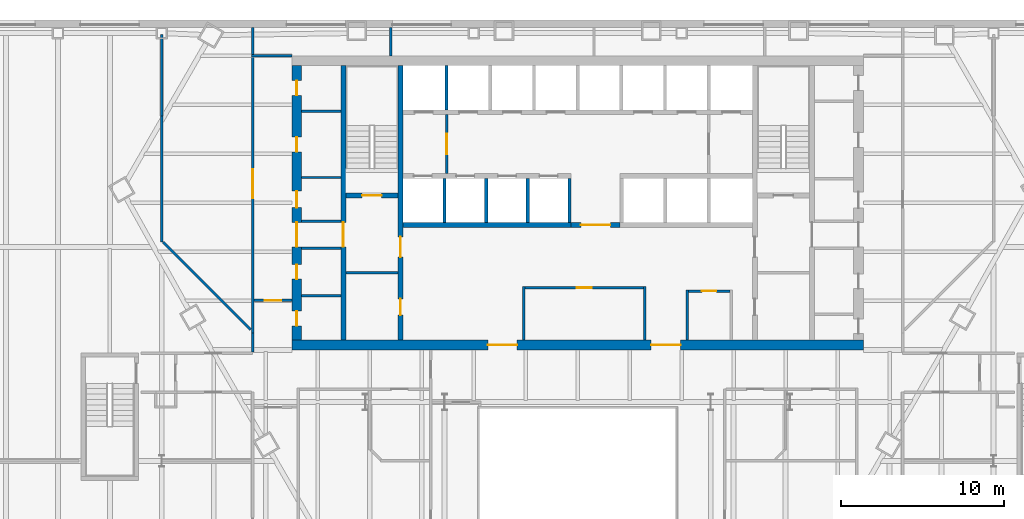
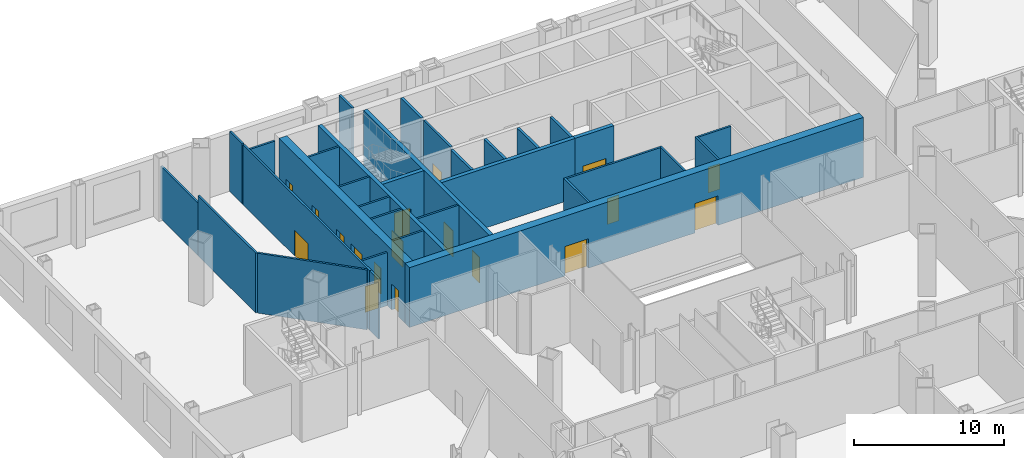
# One storey, part 11 of 20: 33 walls, 18 doors, 18 openings.
"""IFC4 building model written with IfcOpenShell, lengths in metres."""

from ifc_helpers import new_model, si_unit, direction, frame, frame_2d, origin, place, context, subcontext, project, spatial, rectangle, extrude, material, layer, layer_set, type_object, element, fill, save


model = new_model("IFC4")

# Units and contexts
model_context = context("Model", 3, precision=1e-05, world=origin(), true_north=direction((0.0, 1.0)))
body_context = subcontext(model_context, "Body", "Model", "MODEL_VIEW")
ifc_project = project(units=[si_unit("LENGTHUNIT", "METRE"), si_unit("AREAUNIT", "SQUARE_METRE"), si_unit("VOLUMEUNIT", "CUBIC_METRE"), si_unit("PLANEANGLEUNIT", "RADIAN"), si_unit("MASSUNIT", "GRAM", prefix="KILO")], contexts=[model_context])

# Site, building, storey
site_placement = place(None, origin())
site = spatial("IfcSite", under=ifc_project, at=site_placement, CompositionType="ELEMENT")
building_placement = place(site_placement, origin())
building = spatial("IfcBuilding", under=site, at=building_placement, Name="Njiva Tower", CompositionType="ELEMENT")
storey_placement = place(building_placement, frame((0.0, 0.0, 18.6)))
storey = spatial("IfcBuildingStorey", under=building, at=storey_placement, Name="L03", CompositionType="ELEMENT", Elevation=18.6)

# Walls
ifc_material_1 = material(Name="Blockwork", Category="masonry")
ifc_layer_1 = layer(ifc_material_1, 0.15)
ifc_layer_set_1 = layer_set([ifc_layer_1], Name="Blockwork")
wall_type_1 = type_object("IfcWallType", Name="WT1 Compartment partition 150", PredefinedType="PARTITIONING", material=ifc_layer_set_1)
wall_1_placement = place(storey_placement, frame((-14.2, 4.725, 0.0), z_axis=(0.0, 0.0, 1.0), x_axis=(1.0, 0.0, 0.0)))
element("IfcWall", 1, at=wall_1_placement, inside=storey, type_object=wall_type_1, Name="Room wall A", PredefinedType="PARTITIONING", context=body_context, shape_type="SweptSolid", body=[
    extrude(rectangle(XDim=3.2, YDim=0.15, at=frame_2d((1.6, 0.0))), origin(), (0.0, 0.0, 1.0), 4.88),
])
for number, where, z_axis, x_axis, name in (
    (2, (-16.9, 3.3241, 0.0), (0.0, 0.0, 1.0), (1.0, 0.0, 0.0), "Partition strip W00"),
    (3, (-16.9, 10.5559, 0.0), (0.0, 0.0, 1.0), (1.0, 0.0, 0.0), "Partition strip W10"),
):
    element("IfcWall", number, at=place(storey_placement, frame(where, z_axis=z_axis, x_axis=x_axis)), inside=storey, type_object=wall_type_1, Name=name, PredefinedType="PARTITIONING", context=body_context, shape_type="SweptSolid", body=[
        extrude(rectangle(XDim=2.4, YDim=0.15, at=frame_2d((1.2, 0.0))), origin(), (0.0, 0.0, 1.0), 4.88),
    ])
for number, where, z_axis, x_axis, name in (
    (4, (-3.3, 0.6, 0.0), (0.0, 0.0, 1.0), (0.0, 1.0, 0.0), "Information office wall west"),
    (5, (4.1, 0.6, 0.0), (0.0, 0.0, 1.0), (0.0, 1.0, 0.0), "Information office wall east"),
):
    element("IfcWall", number, at=place(storey_placement, frame(where, z_axis=z_axis, x_axis=x_axis)), inside=storey, type_object=wall_type_1, Name=name, PredefinedType="PARTITIONING", context=body_context, shape_type="SweptSolid", body=[
        extrude(rectangle(XDim=3.275, YDim=0.15, at=frame_2d((1.6375, 0.0))), origin(), (0.0, 0.0, 1.0), 4.88),
    ])

# Wall, opening, door
wall_2_placement = place(storey_placement, frame((-3.225, 3.8, 0.0), z_axis=(0.0, 0.0, 1.0), x_axis=(1.0, 0.0, 0.0)))
wall_2 = element("IfcWall", 6, at=wall_2_placement, inside=storey, type_object=wall_type_1, Name="Information office wall north", PredefinedType="PARTITIONING", context=body_context, shape_type="SweptSolid", body=[
    extrude(rectangle(XDim=7.25, YDim=0.15, at=frame_2d((3.625, 0.0))), origin(), (0.0, 0.0, 1.0), 4.88),
])
opening_1_placement = place(wall_2_placement, frame((3.175, 0.0, 0.0)))
opening_1 = element("IfcOpeningElement", 7, at=opening_1_placement, cuts=wall_2, Name="Opening L03-D934", PredefinedType="OPENING", context=body_context, shape_type="SweptSolid", body=[
    extrude(rectangle(XDim=0.9, YDim=2.1, at=frame_2d((0.45, 1.05))), frame((0.0, 0.085, 0.0), z_axis=(0.0, -1.0, 0.0), x_axis=(1.0, 0.0, 0.0)), (0.0, 0.0, 1.0), 0.17),
])
ifc_material_2 = material(Name="Steel fire door, painted", Category="steel")
door_type_1 = type_object("IfcDoorType", Name="D6 Fire-rated door 900x2100", OperationType="SINGLE_SWING_LEFT", PredefinedType="DOOR", material=ifc_material_2)
door_1_placement = place(opening_1_placement, origin())
door_1 = element("IfcDoor", 8, at=door_1_placement, inside=storey, type_object=door_type_1, Name="Information office door", OperationType="SINGLE_SWING_LEFT", OverallHeight=2.1, OverallWidth=0.9, PredefinedType="DOOR", context=body_context, shape_type="SweptSolid", body=[
    extrude(rectangle(XDim=0.9, YDim=2.1, at=frame_2d((0.45, 1.05))), frame((0.0, 0.025, 0.0), z_axis=(0.0, -1.0, 0.0), x_axis=(1.0, 0.0, 0.0)), (0.0, 0.0, 1.0), 0.05),
])
fill(opening_1, door_1)

# Wall
wall_3_placement = place(storey_placement, frame((6.7, 0.6, 0.0), z_axis=(0.0, 0.0, 1.0), x_axis=(0.0, 1.0, 0.0)))
element("IfcWall", 9, at=wall_3_placement, inside=storey, type_object=wall_type_1, Name="Tenant reception wall west", PredefinedType="PARTITIONING", context=body_context, shape_type="SweptSolid", body=[
    extrude(rectangle(XDim=3.075, YDim=0.15, at=frame_2d((1.5375, 0.0))), origin(), (0.0, 0.0, 1.0), 4.88),
])

# Wall, opening, door
wall_4_placement = place(storey_placement, frame((6.775, 3.6, 0.0), z_axis=(0.0, 0.0, 1.0), x_axis=(1.0, 0.0, 0.0)))
wall_4 = element("IfcWall", 10, at=wall_4_placement, inside=storey, type_object=wall_type_1, Name="Tenant reception wall north", PredefinedType="PARTITIONING", context=body_context, shape_type="SweptSolid", body=[
    extrude(rectangle(XDim=2.55, YDim=0.15, at=frame_2d((1.275, 0.0))), origin(), (0.0, 0.0, 1.0), 4.88),
])
opening_2_placement = place(wall_4_placement, frame((0.825, 0.0, 0.0)))
opening_2 = element("IfcOpeningElement", 11, at=opening_2_placement, cuts=wall_4, Name="Opening L03-D935", PredefinedType="OPENING", context=body_context, shape_type="SweptSolid", body=[
    extrude(rectangle(XDim=0.9, YDim=2.1, at=frame_2d((0.45, 1.05))), frame((0.0, 0.085, 0.0), z_axis=(0.0, -1.0, 0.0), x_axis=(1.0, 0.0, 0.0)), (0.0, 0.0, 1.0), 0.17),
])
door_2_placement = place(opening_2_placement, origin())
door_2 = element("IfcDoor", 12, at=door_2_placement, inside=storey, type_object=door_type_1, Name="Tenant reception door", OperationType="SINGLE_SWING_RIGHT", OverallHeight=2.1, OverallWidth=0.9, PredefinedType="DOOR", context=body_context, shape_type="SweptSolid", body=[
    extrude(rectangle(XDim=0.9, YDim=2.1, at=frame_2d((0.45, 1.05))), frame((0.0, 0.025, 0.0), z_axis=(0.0, -1.0, 0.0), x_axis=(1.0, 0.0, 0.0)), (0.0, 0.0, 1.0), 0.05),
])
fill(opening_2, door_2)

# Wall, openings, doors
ifc_material_3 = material(Name="Concrete C40/50", Category="concrete")
ifc_layer_2 = layer(ifc_material_3, 0.3)
ifc_layer_set_2 = layer_set([ifc_layer_2], Name="Concrete C40/50")
wall_type_2 = type_object("IfcWallType", Name="WT10 Stair enclosure wall 300", PredefinedType="SHEAR", material=ifc_layer_set_2)
wall_5_placement = place(storey_placement, frame((-10.85, 0.6, 0.0), z_axis=(0.0, 0.0, 1.0), x_axis=(0.0, 1.0, 0.0)))
wall_5 = element("IfcWall", 13, at=wall_5_placement, inside=storey, type_object=wall_type_2, Name="Stair wall west inner", PredefinedType="SHEAR", context=body_context, shape_type="SweptSolid", body=[
    extrude(rectangle(XDim=16.8, YDim=0.3, at=frame_2d((8.4, 0.0))), origin(), (0.0, 0.0, 1.0), 4.88),
])
opening_3_placement = place(wall_5_placement, frame((5.075, 0.0, 0.0)))
opening_3 = element("IfcOpeningElement", 14, at=opening_3_placement, cuts=wall_5, Name="Opening L03-D914", PredefinedType="OPENING", context=body_context, shape_type="SweptSolid", body=[
    extrude(rectangle(XDim=1.25, YDim=2.1, at=frame_2d((0.625, 1.05))), frame((0.0, 0.16, 0.0), z_axis=(0.0, -1.0, 0.0), x_axis=(1.0, 0.0, 0.0)), (0.0, 0.0, 1.0), 0.32),
])
opening_4_placement = place(wall_5_placement, frame((1.525, 0.0, 0.0)))
opening_4 = element("IfcOpeningElement", 15, at=opening_4_placement, cuts=wall_5, Name="Opening L03-D915", PredefinedType="OPENING", context=body_context, shape_type="SweptSolid", body=[
    extrude(rectangle(XDim=1.0, YDim=2.1, at=frame_2d((0.5, 1.05))), frame((0.0, 0.16, 0.0), z_axis=(0.0, -1.0, 0.0), x_axis=(1.0, 0.0, 0.0)), (0.0, 0.0, 1.0), 0.32),
])
ifc_material_4 = material(Name="Steel door, painted", Category="steel")
door_type_2 = type_object("IfcDoorType", Name="D5 Steel door 1000x2100", OperationType="SINGLE_SWING_LEFT", PredefinedType="DOOR", material=ifc_material_4)
door_3_placement = place(opening_4_placement, origin())
door_3 = element("IfcDoor", 16, at=door_3_placement, inside=storey, type_object=door_type_2, Name="Breakout room door", OperationType="SINGLE_SWING_RIGHT", OverallHeight=2.1, OverallWidth=1.0, PredefinedType="DOOR", context=body_context, shape_type="SweptSolid", body=[
    extrude(rectangle(XDim=1.0, YDim=2.1, at=frame_2d((0.5, 1.05))), frame((0.0, 0.025, 0.0), z_axis=(0.0, -1.0, 0.0), x_axis=(1.0, 0.0, 0.0)), (0.0, 0.0, 1.0), 0.05),
])
fill(opening_4, door_3)
ifc_material_5 = material(Name="Glazed steel fire door", Category="steel")
door_type_3 = type_object("IfcDoorType", Name="D8 Vestibule corridor door 1250x2100 glazed", OperationType="SINGLE_SWING_LEFT", PredefinedType="DOOR", material=ifc_material_5)
door_4_placement = place(opening_3_placement, origin())
door_4 = element("IfcDoor", 17, at=door_4_placement, inside=storey, type_object=door_type_3, Name="Stair vestibule corridor door", OperationType="SINGLE_SWING_LEFT", OverallHeight=2.1, OverallWidth=1.25, PredefinedType="DOOR", context=body_context, shape_type="SweptSolid", body=[
    extrude(rectangle(XDim=1.25, YDim=2.1, at=frame_2d((0.625, 1.05))), frame((0.0, 0.025, 0.0), z_axis=(0.0, -1.0, 0.0), x_axis=(1.0, 0.0, 0.0)), (0.0, 0.0, 1.0), 0.05),
])
fill(opening_3, door_4)

# Wall, opening, door
wall_6_placement = place(storey_placement, frame((-14.35, 0.6, 0.0), z_axis=(0.0, 0.0, 1.0), x_axis=(0.0, 1.0, 0.0)))
wall_6 = element("IfcWall", 18, at=wall_6_placement, inside=storey, type_object=wall_type_2, Name="Stair wall west outer", PredefinedType="SHEAR", context=body_context, shape_type="SweptSolid", body=[
    extrude(rectangle(XDim=16.8, YDim=0.3, at=frame_2d((8.4, 0.0))), origin(), (0.0, 0.0, 1.0), 4.88),
])
opening_5_placement = place(wall_6_placement, frame((5.7, 0.0, 0.0)))
opening_5 = element("IfcOpeningElement", 19, at=opening_5_placement, cuts=wall_6, Name="Opening L03-D920", PredefinedType="OPENING", context=body_context, shape_type="SweptSolid", body=[
    extrude(rectangle(XDim=1.5, YDim=2.1, at=frame_2d((0.75, 1.05))), frame((0.0, 0.16, 0.0), z_axis=(0.0, -1.0, 0.0), x_axis=(1.0, 0.0, 0.0)), (0.0, 0.0, 1.0), 0.32),
])
door_type_4 = type_object("IfcDoorType", Name="D10 Exit door double 1500x2100 glazed", OperationType="DOUBLE_DOOR_SINGLE_SWING", PredefinedType="DOOR", material=ifc_material_5)
door_5_placement = place(opening_5_placement, origin())
door_5 = element("IfcDoor", 20, at=door_5_placement, inside=storey, type_object=door_type_4, Name="Stair A passage door", OperationType="DOUBLE_DOOR_SINGLE_SWING", OverallHeight=2.1, OverallWidth=1.5, PredefinedType="DOOR", context=body_context, shape_type="SweptSolid", body=[
    extrude(rectangle(XDim=1.5, YDim=2.1, at=frame_2d((0.75, 1.05))), frame((0.0, 0.025, 0.0), z_axis=(0.0, -1.0, 0.0), x_axis=(1.0, 0.0, 0.0)), (0.0, 0.0, 1.0), 0.05),
])
fill(opening_5, door_5)

wall_7_placement = place(storey_placement, frame((-14.2, 9.45, 0.0), z_axis=(0.0, 0.0, 1.0), x_axis=(1.0, 0.0, 0.0)))
wall_7 = element("IfcWall", 21, at=wall_7_placement, inside=storey, type_object=wall_type_2, Name="Stair A south wall", PredefinedType="SHEAR", context=body_context, shape_type="SweptSolid", body=[
    extrude(rectangle(XDim=3.2, YDim=0.3, at=frame_2d((1.6, 0.0))), origin(), (0.0, 0.0, 1.0), 4.88),
])
opening_6_placement = place(wall_7_placement, frame((1.0, 0.0, 0.0)))
opening_6 = element("IfcOpeningElement", 22, at=opening_6_placement, cuts=wall_7, Name="Opening L03-D913", PredefinedType="OPENING", context=body_context, shape_type="SweptSolid", body=[
    extrude(rectangle(XDim=1.2, YDim=2.1, at=frame_2d((0.6, 1.05))), frame((0.0, 0.16, 0.0), z_axis=(0.0, -1.0, 0.0), x_axis=(1.0, 0.0, 0.0)), (0.0, 0.0, 1.0), 0.32),
])
door_type_5 = type_object("IfcDoorType", Name="D7 Stair vestibule door 1200x2100 glazed", OperationType="SINGLE_SWING_LEFT", PredefinedType="DOOR", material=ifc_material_5)
door_6_placement = place(opening_6_placement, origin())
door_6 = element("IfcDoor", 23, at=door_6_placement, inside=storey, type_object=door_type_5, Name="Stair A door", OperationType="SINGLE_SWING_LEFT", OverallHeight=2.1, OverallWidth=1.2, PredefinedType="DOOR", context=body_context, shape_type="SweptSolid", body=[
    extrude(rectangle(XDim=1.2, YDim=2.1, at=frame_2d((0.6, 1.05))), frame((0.0, 0.025, 0.0), z_axis=(0.0, -1.0, 0.0), x_axis=(1.0, 0.0, 0.0)), (0.0, 0.0, 1.0), 0.05),
])
fill(opening_6, door_6)

# Wall, openings, doors
ifc_material_6 = material(Name="Concrete C60/75", Category="concrete")
ifc_layer_3 = layer(ifc_material_6, 0.6)
ifc_layer_set_3 = layer_set([ifc_layer_3], Name="Concrete C60/75")
wall_type_3 = type_object("IfcWallType", Name="WT15 Core wall 600", PredefinedType="SHEAR", material=ifc_layer_set_3)
wall_8_placement = place(storey_placement, frame((-17.5, 0.3, 0.0), z_axis=(0.0, 0.0, 1.0), x_axis=(1.0, 0.0, 0.0)))
wall_8 = element("IfcWall", 24, at=wall_8_placement, inside=storey, type_object=wall_type_3, Name="Core wall south", PredefinedType="SHEAR", context=body_context, shape_type="SweptSolid", body=[
    extrude(rectangle(XDim=35.0, YDim=0.6, at=frame_2d((17.5, 0.0))), origin(), (0.0, 0.0, 1.0), 4.88),
])
opening_7_placement = place(wall_8_placement, frame((12.0, 0.0, 0.0)))
opening_7 = element("IfcOpeningElement", 25, at=opening_7_placement, cuts=wall_8, Name="Opening L03-D937", PredefinedType="OPENING", context=body_context, shape_type="SweptSolid", body=[
    extrude(rectangle(XDim=1.8, YDim=2.4, at=frame_2d((0.9, 1.2))), frame((0.0, 0.31, 0.0), z_axis=(0.0, -1.0, 0.0), x_axis=(1.0, 0.0, 0.0)), (0.0, 0.0, 1.0), 0.62),
])
opening_8_placement = place(wall_8_placement, frame((22.0, 0.0, 0.0)))
opening_8 = element("IfcOpeningElement", 26, at=opening_8_placement, cuts=wall_8, Name="Opening L03-D938", PredefinedType="OPENING", context=body_context, shape_type="SweptSolid", body=[
    extrude(rectangle(XDim=1.8, YDim=2.4, at=frame_2d((0.9, 1.2))), frame((0.0, 0.31, 0.0), z_axis=(0.0, -1.0, 0.0), x_axis=(1.0, 0.0, 0.0)), (0.0, 0.0, 1.0), 0.62),
])
ifc_material_7 = material(Name="Steel and glass door", Category="steel")
door_type_6 = type_object("IfcDoorType", Name="D3 Core entrance door 1800x2400", OperationType="DOUBLE_DOOR_SINGLE_SWING", PredefinedType="DOOR", material=ifc_material_7)
door_7_placement = place(opening_7_placement, origin())
door_7 = element("IfcDoor", 27, at=door_7_placement, inside=storey, type_object=door_type_6, Name="Core entrance door", OperationType="DOUBLE_DOOR_SINGLE_SWING", OverallHeight=2.4, OverallWidth=1.8, PredefinedType="DOOR", context=body_context, shape_type="SweptSolid", body=[
    extrude(rectangle(XDim=1.8, YDim=2.4, at=frame_2d((0.9, 1.2))), frame((0.0, 0.025, 0.0), z_axis=(0.0, -1.0, 0.0), x_axis=(1.0, 0.0, 0.0)), (0.0, 0.0, 1.0), 0.05),
])
fill(opening_7, door_7)
door_8_placement = place(opening_8_placement, origin())
door_8 = element("IfcDoor", 28, at=door_8_placement, inside=storey, type_object=door_type_6, Name="Core entrance door", OperationType="DOUBLE_DOOR_SINGLE_SWING", OverallHeight=2.4, OverallWidth=1.8, PredefinedType="DOOR", context=body_context, shape_type="SweptSolid", body=[
    extrude(rectangle(XDim=1.8, YDim=2.4, at=frame_2d((0.9, 1.2))), frame((0.0, 0.025, 0.0), z_axis=(0.0, -1.0, 0.0), x_axis=(1.0, 0.0, 0.0)), (0.0, 0.0, 1.0), 0.05),
])
fill(opening_8, door_8)

wall_9_placement = place(storey_placement, frame((-17.2, 0.6, 0.0), z_axis=(0.0, 0.0, 1.0), x_axis=(0.0, 1.0, 0.0)))
wall_9 = element("IfcWall", 29, at=wall_9_placement, inside=storey, type_object=wall_type_3, Name="Core wall west", PredefinedType="SHEAR", context=body_context, shape_type="SweptSolid", body=[
    extrude(rectangle(XDim=16.8, YDim=0.6, at=frame_2d((8.4, 0.0))), origin(), (0.0, 0.0, 1.0), 4.88),
])
opening_9_placement = place(wall_9_placement, frame((5.7, 0.0, 0.0)))
opening_9 = element("IfcOpeningElement", 30, at=opening_9_placement, cuts=wall_9, Name="Opening L03-D921", PredefinedType="OPENING", context=body_context, shape_type="SweptSolid", body=[
    extrude(rectangle(XDim=1.5, YDim=2.1, at=frame_2d((0.75, 1.05))), frame((0.0, 0.31, 0.0), z_axis=(0.0, -1.0, 0.0), x_axis=(1.0, 0.0, 0.0)), (0.0, 0.0, 1.0), 0.62),
])
opening_10_placement = place(wall_9_placement, frame((0.8745, 0.0, 0.0)))
opening_10 = element("IfcOpeningElement", 31, at=opening_10_placement, cuts=wall_9, Name="Opening L03-D922", PredefinedType="OPENING", context=body_context, shape_type="SweptSolid", body=[
    extrude(rectangle(XDim=0.9, YDim=2.1, at=frame_2d((0.45, 1.05))), frame((0.0, 0.31, 0.0), z_axis=(0.0, -1.0, 0.0), x_axis=(1.0, 0.0, 0.0)), (0.0, 0.0, 1.0), 0.62),
])
opening_11_placement = place(wall_9_placement, frame((3.7245, 0.0, 0.0)))
opening_11 = element("IfcOpeningElement", 32, at=opening_11_placement, cuts=wall_9, Name="Opening L03-D923", PredefinedType="OPENING", context=body_context, shape_type="SweptSolid", body=[
    extrude(rectangle(XDim=0.9, YDim=2.1, at=frame_2d((0.45, 1.05))), frame((0.0, 0.31, 0.0), z_axis=(0.0, -1.0, 0.0), x_axis=(1.0, 0.0, 0.0)), (0.0, 0.0, 1.0), 0.62),
])
opening_12_placement = place(wall_9_placement, frame((8.1154, 0.0, 0.0)))
opening_12 = element("IfcOpeningElement", 33, at=opening_12_placement, cuts=wall_9, Name="Opening L03-D924", PredefinedType="OPENING", context=body_context, shape_type="SweptSolid", body=[
    extrude(rectangle(XDim=1.0, YDim=2.1, at=frame_2d((0.5, 1.05))), frame((0.0, 0.31, 0.0), z_axis=(0.0, -1.0, 0.0), x_axis=(1.0, 0.0, 0.0)), (0.0, 0.0, 1.0), 0.62),
])
opening_13_placement = place(wall_9_placement, frame((11.5277, 0.0, 0.0)))
opening_13 = element("IfcOpeningElement", 34, at=opening_13_placement, cuts=wall_9, Name="Opening L03-D925", PredefinedType="OPENING", context=body_context, shape_type="SweptSolid", body=[
    extrude(rectangle(XDim=0.9, YDim=2.1, at=frame_2d((0.45, 1.05))), frame((0.0, 0.31, 0.0), z_axis=(0.0, -1.0, 0.0), x_axis=(1.0, 0.0, 0.0)), (0.0, 0.0, 1.0), 0.62),
])
opening_14_placement = place(wall_9_placement, frame((14.9872, 0.0, 0.0)))
opening_14 = element("IfcOpeningElement", 35, at=opening_14_placement, cuts=wall_9, Name="Opening L03-D926", PredefinedType="OPENING", context=body_context, shape_type="SweptSolid", body=[
    extrude(rectangle(XDim=0.9, YDim=2.1, at=frame_2d((0.45, 1.05))), frame((0.0, 0.31, 0.0), z_axis=(0.0, -1.0, 0.0), x_axis=(1.0, 0.0, 0.0)), (0.0, 0.0, 1.0), 0.62),
])
door_9_placement = place(opening_9_placement, origin())
door_9 = element("IfcDoor", 36, at=door_9_placement, inside=storey, type_object=door_type_4, Name="Stair A corridor door", OperationType="DOUBLE_DOOR_SINGLE_SWING", OverallHeight=2.1, OverallWidth=1.5, PredefinedType="DOOR", context=body_context, shape_type="SweptSolid", body=[
    extrude(rectangle(XDim=1.5, YDim=2.1, at=frame_2d((0.75, 1.05))), frame((0.0, 0.025, 0.0), z_axis=(0.0, -1.0, 0.0), x_axis=(1.0, 0.0, 0.0)), (0.0, 0.0, 1.0), 0.05),
])
fill(opening_9, door_9)
door_type_7 = type_object("IfcDoorType", Name="D4 Riser door 900x2100", OperationType="SINGLE_SWING_LEFT", PredefinedType="DOOR", material=ifc_material_4)
door_10_placement = place(opening_14_placement, origin())
door_10 = element("IfcDoor", 37, at=door_10_placement, inside=storey, type_object=door_type_7, Name="Riser door", OperationType="SINGLE_SWING_LEFT", OverallHeight=2.1, OverallWidth=0.9, PredefinedType="DOOR", context=body_context, shape_type="SweptSolid", body=[
    extrude(rectangle(XDim=0.9, YDim=2.1, at=frame_2d((0.45, 1.05))), frame((0.0, 0.025, 0.0), z_axis=(0.0, -1.0, 0.0), x_axis=(1.0, 0.0, 0.0)), (0.0, 0.0, 1.0), 0.05),
])
fill(opening_14, door_10)
door_11_placement = place(opening_12_placement, origin())
door_11 = element("IfcDoor", 38, at=door_11_placement, inside=storey, type_object=door_type_2, Name="Telecoms room door", OperationType="SINGLE_SWING_RIGHT", OverallHeight=2.1, OverallWidth=1.0, PredefinedType="DOOR", context=body_context, shape_type="SweptSolid", body=[
    extrude(rectangle(XDim=1.0, YDim=2.1, at=frame_2d((0.5, 1.05))), frame((0.0, 0.025, 0.0), z_axis=(0.0, -1.0, 0.0), x_axis=(1.0, 0.0, 0.0)), (0.0, 0.0, 1.0), 0.05),
])
fill(opening_12, door_11)
door_12_placement = place(opening_10_placement, origin())
door_12 = element("IfcDoor", 39, at=door_12_placement, inside=storey, type_object=door_type_1, Name="Meeting room door", OperationType="SINGLE_SWING_LEFT", OverallHeight=2.1, OverallWidth=0.9, PredefinedType="DOOR", context=body_context, shape_type="SweptSolid", body=[
    extrude(rectangle(XDim=0.9, YDim=2.1, at=frame_2d((0.45, 1.05))), frame((0.0, 0.025, 0.0), z_axis=(0.0, -1.0, 0.0), x_axis=(1.0, 0.0, 0.0)), (0.0, 0.0, 1.0), 0.05),
])
fill(opening_10, door_12)
door_13_placement = place(opening_11_placement, origin())
door_13 = element("IfcDoor", 40, at=door_13_placement, inside=storey, type_object=door_type_1, Name="Breakout room door", OperationType="SINGLE_SWING_LEFT", OverallHeight=2.1, OverallWidth=0.9, PredefinedType="DOOR", context=body_context, shape_type="SweptSolid", body=[
    extrude(rectangle(XDim=0.9, YDim=2.1, at=frame_2d((0.45, 1.05))), frame((0.0, 0.025, 0.0), z_axis=(0.0, -1.0, 0.0), x_axis=(1.0, 0.0, 0.0)), (0.0, 0.0, 1.0), 0.05),
])
fill(opening_11, door_13)
door_14_placement = place(opening_13_placement, origin())
door_14 = element("IfcDoor", 41, at=door_14_placement, inside=storey, type_object=door_type_1, Name="Quiet room door", OperationType="SINGLE_SWING_RIGHT", OverallHeight=2.1, OverallWidth=0.9, PredefinedType="DOOR", context=body_context, shape_type="SweptSolid", body=[
    extrude(rectangle(XDim=0.9, YDim=2.1, at=frame_2d((0.45, 1.05))), frame((0.0, 0.025, 0.0), z_axis=(0.0, -1.0, 0.0), x_axis=(1.0, 0.0, 0.0)), (0.0, 0.0, 1.0), 0.05),
])
fill(opening_13, door_14)

# Wall, opening, door
ifc_layer_4 = layer(ifc_material_1, 0.15)
ifc_layer_set_4 = layer_set([ifc_layer_4], Name="Blockwork")
wall_type_4 = type_object("IfcWallType", Name="WT2 Lobby partition 150", PredefinedType="PARTITIONING", material=ifc_layer_set_4)
wall_10_placement = place(storey_placement, frame((-8.025, 10.8, 0.0), z_axis=(0.0, 0.0, 1.0), x_axis=(0.0, 1.0, 0.0)))
wall_10 = element("IfcWall", 42, at=wall_10_placement, inside=storey, type_object=wall_type_4, Name="Firefighting lobby wall A", PredefinedType="PARTITIONING", context=body_context, shape_type="SweptSolid", body=[
    extrude(rectangle(XDim=3.6, YDim=0.15, at=frame_2d((1.8, 0.0))), origin(), (0.0, 0.0, 1.0), 4.88),
])
opening_15_placement = place(wall_10_placement, frame((1.175, 0.0, 0.0)))
opening_15 = element("IfcOpeningElement", 43, at=opening_15_placement, cuts=wall_10, Name="Opening L03-D912", PredefinedType="OPENING", context=body_context, shape_type="SweptSolid", body=[
    extrude(rectangle(XDim=1.25, YDim=2.1, at=frame_2d((0.625, 1.05))), frame((0.0, 0.085, 0.0), z_axis=(0.0, -1.0, 0.0), x_axis=(1.0, 0.0, 0.0)), (0.0, 0.0, 1.0), 0.17),
])
door_15_placement = place(opening_15_placement, origin())
door_15 = element("IfcDoor", 44, at=door_15_placement, inside=storey, type_object=door_type_3, Name="Stair vestibule corridor door", OperationType="SINGLE_SWING_RIGHT", OverallHeight=2.1, OverallWidth=1.25, PredefinedType="DOOR", context=body_context, shape_type="SweptSolid", body=[
    extrude(rectangle(XDim=1.25, YDim=2.1, at=frame_2d((0.625, 1.05))), frame((0.0, 0.025, 0.0), z_axis=(0.0, -1.0, 0.0), x_axis=(1.0, 0.0, 0.0)), (0.0, 0.0, 1.0), 0.05),
])
fill(opening_15, door_15)

# Walls
ifc_material_8 = material(Name="Gypsum board on steel studs", Category="gypsum")
ifc_layer_5 = layer(ifc_material_8, 0.15)
ifc_layer_set_5 = layer_set([ifc_layer_5], Name="Gypsum board on steel studs")
wall_type_5 = type_object("IfcWallType", Name="WT21 Compartment wall 150", PredefinedType="PARTITIONING", material=ifc_layer_set_5)
wall_11_placement = place(storey_placement, frame((-25.467, 6.592, 0.0), z_axis=(0.0, 0.0, 1.0), x_axis=(0.0, 1.0, 0.0)))
element("IfcWall", 45, at=wall_11_placement, inside=storey, type_object=wall_type_5, Name="Partition L03-P009", PredefinedType="PARTITIONING", context=body_context, shape_type="SweptSolid", body=[
    extrude(rectangle(XDim=7.736, YDim=0.15, at=frame_2d((3.868, 0.0))), origin(), (0.0, 0.0, 1.0), 4.88),
])
wall_12_placement = place(storey_placement, frame((-25.467, 14.328, 0.0), z_axis=(0.0, 0.0, 1.0), x_axis=(0.0, 1.0, 0.0)))
element("IfcWall", 46, at=wall_12_placement, inside=storey, type_object=wall_type_5, Name="Partition L03-P009A", PredefinedType="PARTITIONING", context=body_context, shape_type="SweptSolid", body=[
    extrude(rectangle(XDim=4.972, YDim=0.15, at=frame_2d((2.486, 0.0))), origin(), (0.0, 0.0, 1.0), 4.28),
])
wall_13_placement = place(storey_placement, frame((-25.392, 6.592, 0.0), z_axis=(0.0, 0.0, 1.0), x_axis=(0.707106781187, -0.707106781187, 0.0)))
element("IfcWall", 47, at=wall_13_placement, inside=storey, type_object=wall_type_5, Name="Partition L03-P010", PredefinedType="PARTITIONING", context=body_context, shape_type="SweptSolid", body=[
    extrude(rectangle(XDim=7.5858, YDim=0.15, at=frame_2d((3.7929, 0.0))), origin(), (0.0, 0.0, 1.0), 4.88),
])
wall_14_placement = place(storey_placement, frame((-19.9, -0.125, 0.0), z_axis=(0.0, 0.0, 1.0), x_axis=(0.0, 1.0, 0.0)))
element("IfcWall", 48, at=wall_14_placement, inside=storey, type_object=wall_type_5, Name="Partition L03-P017", PredefinedType="PARTITIONING", context=body_context, shape_type="SweptSolid", body=[
    extrude(rectangle(XDim=1.15, YDim=0.15, at=frame_2d((0.575, 0.0))), origin(), (0.0, 0.0, 1.0), 4.88),
])

# Wall, opening, door
wall_15_placement = place(storey_placement, frame((-19.9, 1.025, 0.0), z_axis=(0.0, 0.0, 1.0), x_axis=(0.0, 1.0, 0.0)))
wall_15 = element("IfcWall", 49, at=wall_15_placement, inside=storey, type_object=wall_type_5, Name="Partition L03-P018", PredefinedType="PARTITIONING", context=body_context, shape_type="SweptSolid", body=[
    extrude(rectangle(XDim=16.9, YDim=0.15, at=frame_2d((8.45, 0.0))), origin(), (0.0, 0.0, 1.0), 4.88),
])
opening_16_placement = place(wall_15_placement, frame((8.244, 0.0, 0.0)))
opening_16 = element("IfcOpeningElement", 50, at=opening_16_placement, cuts=wall_15, Name="Opening L03-D006", PredefinedType="OPENING", context=body_context, shape_type="SweptSolid", body=[
    extrude(rectangle(XDim=1.8, YDim=2.1, at=frame_2d((0.9, 1.05))), frame((0.0, 0.085, 0.0), z_axis=(0.0, -1.0, 0.0), x_axis=(1.0, 0.0, 0.0)), (0.0, 0.0, 1.0), 0.17),
])
ifc_material_9 = material(Name="Steel fire door set", Category="steel")
door_type_8 = type_object("IfcDoorType", Name="D38 Fire door 1800x2100", OperationType="DOUBLE_DOOR_SINGLE_SWING", PredefinedType="DOOR", material=ifc_material_9)
door_16_placement = place(opening_16_placement, origin())
door_16 = element("IfcDoor", 51, at=door_16_placement, inside=storey, type_object=door_type_8, Name="Door L03-D006", OperationType="DOUBLE_DOOR_SINGLE_SWING", OverallHeight=2.1, OverallWidth=1.8, PredefinedType="DOOR", context=body_context, shape_type="SweptSolid", body=[
    extrude(rectangle(XDim=1.8, YDim=2.1, at=frame_2d((0.9, 1.05))), frame((0.0, 0.025, 0.0), z_axis=(0.0, -1.0, 0.0), x_axis=(1.0, 0.0, 0.0)), (0.0, 0.0, 1.0), 0.05),
])
fill(opening_16, door_16)

wall_16_placement = place(storey_placement, frame((-19.825, 3.025, 0.0), z_axis=(0.0, 0.0, 1.0), x_axis=(1.0, 0.0, 0.0)))
wall_16 = element("IfcWall", 52, at=wall_16_placement, inside=storey, type_object=wall_type_5, Name="Partition L03-P022", PredefinedType="PARTITIONING", context=body_context, shape_type="SweptSolid", body=[
    extrude(rectangle(XDim=2.325, YDim=0.15, at=frame_2d((1.1625, 0.0))), origin(), (0.0, 0.0, 1.0), 4.33),
])
opening_17_placement = place(wall_16_placement, frame((0.662, 0.0, 0.0)))
opening_17 = element("IfcOpeningElement", 53, at=opening_17_placement, cuts=wall_16, Name="Opening L03-D008", PredefinedType="OPENING", context=body_context, shape_type="SweptSolid", body=[
    extrude(rectangle(XDim=1.0, YDim=2.1, at=frame_2d((0.5, 1.05))), frame((0.0, 0.085, 0.0), z_axis=(0.0, -1.0, 0.0), x_axis=(1.0, 0.0, 0.0)), (0.0, 0.0, 1.0), 0.17),
])
door_type_9 = type_object("IfcDoorType", Name="D37 Fire door 1000x2100", OperationType="SINGLE_SWING_LEFT", PredefinedType="DOOR", material=ifc_material_9)
door_17_placement = place(opening_17_placement, origin())
door_17 = element("IfcDoor", 54, at=door_17_placement, inside=storey, type_object=door_type_9, Name="Door L03-D008", OperationType="SINGLE_SWING_LEFT", OverallHeight=2.1, OverallWidth=1.0, PredefinedType="DOOR", context=body_context, shape_type="SweptSolid", body=[
    extrude(rectangle(XDim=1.0, YDim=2.1, at=frame_2d((0.5, 1.05))), frame((0.0, 0.025, 0.0), z_axis=(0.0, -1.0, 0.0), x_axis=(1.0, 0.0, 0.0)), (0.0, 0.0, 1.0), 0.05),
])
fill(opening_17, door_17)

# Walls
ifc_layer_6 = layer(ifc_material_8, 0.15)
ifc_layer_set_6 = layer_set([ifc_layer_6], Name="Gypsum board on steel studs")
wall_type_6 = type_object("IfcWallType", Name="WT24 Riser room wall 150", PredefinedType="PARTITIONING", material=ifc_layer_set_6)
wall_17_placement = place(storey_placement, frame((-19.975, 18.0, 0.0), z_axis=(0.0, 0.0, 1.0), x_axis=(1.0, 0.0, 0.0)))
element("IfcWall", 55, at=wall_17_placement, inside=storey, type_object=wall_type_6, Name="Partition L03-P015", PredefinedType="PARTITIONING", context=body_context, shape_type="SweptSolid", body=[
    extrude(rectangle(XDim=2.475, YDim=0.15, at=frame_2d((1.2375, 0.0))), origin(), (0.0, 0.0, 1.0), 4.33),
])
wall_18_placement = place(storey_placement, frame((-19.9, 18.075, 0.0), z_axis=(0.0, 0.0, 1.0), x_axis=(0.0, 1.0, 0.0)))
element("IfcWall", 56, at=wall_18_placement, inside=storey, type_object=wall_type_6, Name="Partition L03-P019", PredefinedType="PARTITIONING", context=body_context, shape_type="SweptSolid", body=[
    extrude(rectangle(XDim=1.675, YDim=0.15, at=frame_2d((0.8375, 0.0))), origin(), (0.0, 0.0, 1.0), 4.88),
])
wall_19_placement = place(storey_placement, frame((-11.45, 18.0, 0.0), z_axis=(0.0, 0.0, 1.0), x_axis=(0.0, 1.0, 0.0)))
element("IfcWall", 57, at=wall_19_placement, inside=storey, type_object=wall_type_6, Name="Partition L03-P042", PredefinedType="PARTITIONING", context=body_context, shape_type="SweptSolid", body=[
    extrude(rectangle(XDim=1.75, YDim=0.15, at=frame_2d((0.875, 0.0))), origin(), (0.0, 0.0, 1.0), 4.88),
])
ifc_layer_7 = layer(ifc_material_1, 0.15)
ifc_layer_set_7 = layer_set([ifc_layer_7], Name="Blockwork")
wall_type_7 = type_object("IfcWallType", Name="WT3 Riser partition 150", PredefinedType="PARTITIONING", material=ifc_layer_set_7)
wall_20_placement = place(storey_placement, frame((-16.9, 14.5995, 0.0), z_axis=(0.0, 0.0, 1.0), x_axis=(1.0, 0.0, 0.0)))
element("IfcWall", 58, at=wall_20_placement, inside=storey, type_object=wall_type_7, Name="Partition strip W11", PredefinedType="PARTITIONING", context=body_context, shape_type="SweptSolid", body=[
    extrude(rectangle(XDim=2.4, YDim=0.15, at=frame_2d((1.2, 0.0))), origin(), (0.0, 0.0, 1.0), 4.88),
])
ifc_layer_8 = layer(ifc_material_1, 0.15)
ifc_layer_set_8 = layer_set([ifc_layer_8], Name="Blockwork")
wall_type_8 = type_object("IfcWallType", Name="WT4 Stair partition 150", PredefinedType="PARTITIONING", material=ifc_layer_set_8)
for number, where, z_axis, x_axis, name in (
    (59, (-16.9, 6.225, 0.0), (0.0, 0.0, 1.0), (1.0, 0.0, 0.0), "Stair A exit passage wall south"),
    (60, (-16.9, 7.875, 0.0), (0.0, 0.0, 1.0), (1.0, 0.0, 0.0), "Stair A exit passage wall north"),
):
    element("IfcWall", number, at=place(storey_placement, frame(where, z_axis=z_axis, x_axis=x_axis)), inside=storey, type_object=wall_type_8, Name=name, PredefinedType="PARTITIONING", context=body_context, shape_type="SweptSolid", body=[
        extrude(rectangle(XDim=2.4, YDim=0.15, at=frame_2d((1.2, 0.0))), origin(), (0.0, 0.0, 1.0), 4.88),
    ])

# Wall, opening, door
ifc_layer_9 = layer(ifc_material_1, 0.3)
ifc_layer_set_9 = layer_set([ifc_layer_9], Name="Blockwork")
wall_type_9 = type_object("IfcWallType", Name="WT5 Lobby partition 300", PredefinedType="PARTITIONING", material=ifc_layer_set_9)
wall_21_placement = place(storey_placement, frame((-0.4, 7.65, 0.0), z_axis=(0.0, 0.0, 1.0), x_axis=(1.0, 0.0, 0.0)))
wall_21 = element("IfcWall", 61, at=wall_21_placement, inside=storey, type_object=wall_type_9, Name="Lift lobby screen wall", PredefinedType="PARTITIONING", context=body_context, shape_type="SweptSolid", body=[
    extrude(rectangle(XDim=3.0, YDim=0.3, at=frame_2d((1.5, 0.0))), origin(), (0.0, 0.0, 1.0), 4.88),
])
opening_18_placement = place(wall_21_placement, frame((0.6, 0.0, 0.0)))
opening_18 = element("IfcOpeningElement", 62, at=opening_18_placement, cuts=wall_21, Name="Opening L03-D936", PredefinedType="OPENING", context=body_context, shape_type="SweptSolid", body=[
    extrude(rectangle(XDim=1.8, YDim=2.4, at=frame_2d((0.9, 1.2))), frame((0.0, 0.16, 0.0), z_axis=(0.0, -1.0, 0.0), x_axis=(1.0, 0.0, 0.0)), (0.0, 0.0, 1.0), 0.32),
])
door_18_placement = place(opening_18_placement, origin())
door_18 = element("IfcDoor", 63, at=door_18_placement, inside=storey, type_object=door_type_6, Name="Core entrance door", OperationType="DOUBLE_DOOR_SINGLE_SWING", OverallHeight=2.4, OverallWidth=1.8, PredefinedType="DOOR", context=body_context, shape_type="SweptSolid", body=[
    extrude(rectangle(XDim=1.8, YDim=2.4, at=frame_2d((0.9, 1.2))), frame((0.0, 0.025, 0.0), z_axis=(0.0, -1.0, 0.0), x_axis=(1.0, 0.0, 0.0)), (0.0, 0.0, 1.0), 0.05),
])
fill(opening_18, door_18)

# Walls
ifc_layer_10 = layer(ifc_material_3, 0.2)
ifc_layer_set_10 = layer_set([ifc_layer_10], Name="Concrete C40/50")
wall_type_10 = type_object("IfcWallType", Name="WT6 Lift shaft wall 200", PredefinedType="SHEAR", material=ifc_layer_set_10)
for number, where, z_axis, x_axis, name in (
    (64, (-8.025, 14.7, 0.0), (0.0, 0.0, 1.0), (0.0, 1.0, 0.0), "Shaft wall CN1"),
    (65, (-8.15, 7.8, 0.0), (0.0, 0.0, 1.0), (0.0, 1.0, 0.0), "Shaft wall CS1"),
    (66, (-5.6, 7.8, 0.0), (0.0, 0.0, 1.0), (0.0, 1.0, 0.0), "Shaft wall CS2"),
    (67, (-3.05, 7.8, 0.0), (0.0, 0.0, 1.0), (0.0, 1.0, 0.0), "Shaft wall CS3"),
    (68, (-0.5, 7.8, 0.0), (0.0, 0.0, 1.0), (0.0, 1.0, 0.0), "Shaft wall CS4"),
):
    element("IfcWall", number, at=place(storey_placement, frame(where, z_axis=z_axis, x_axis=x_axis)), inside=storey, type_object=wall_type_10, Name=name, PredefinedType="SHEAR", context=body_context, shape_type="SweptSolid", body=[
        extrude(rectangle(XDim=2.7, YDim=0.2, at=frame_2d((1.35, 0.0))), origin(), (0.0, 0.0, 1.0), 4.88),
    ])
ifc_layer_11 = layer(ifc_material_3, 0.3)
ifc_layer_set_11 = layer_set([ifc_layer_11], Name="Concrete C40/50")
wall_type_11 = type_object("IfcWallType", Name="WT7 Lift shaft wall 300", PredefinedType="SHEAR", material=ifc_layer_set_11)
wall_22_placement = place(storey_placement, frame((-10.7, 7.65, 0.0), z_axis=(0.0, 0.0, 1.0), x_axis=(1.0, 0.0, 0.0)))
element("IfcWall", 69, at=wall_22_placement, inside=storey, type_object=wall_type_11, Name="Shaft wall south row back W", PredefinedType="SHEAR", context=body_context, shape_type="SweptSolid", body=[
    extrude(rectangle(XDim=10.3, YDim=0.3, at=frame_2d((5.15, 0.0))), origin(), (0.0, 0.0, 1.0), 4.88),
])

save(model, "model.ifc")
